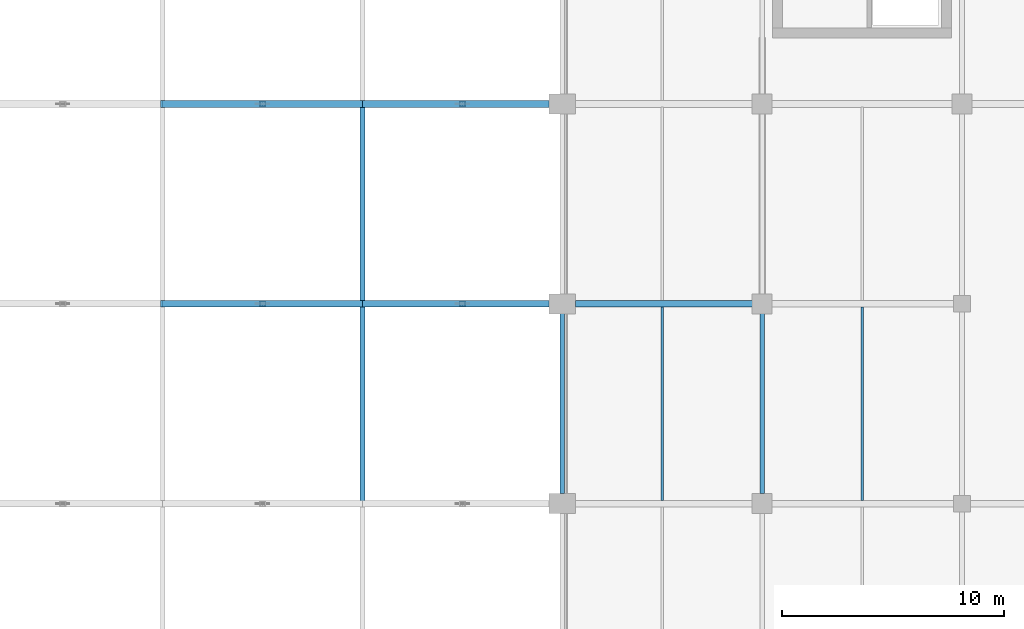
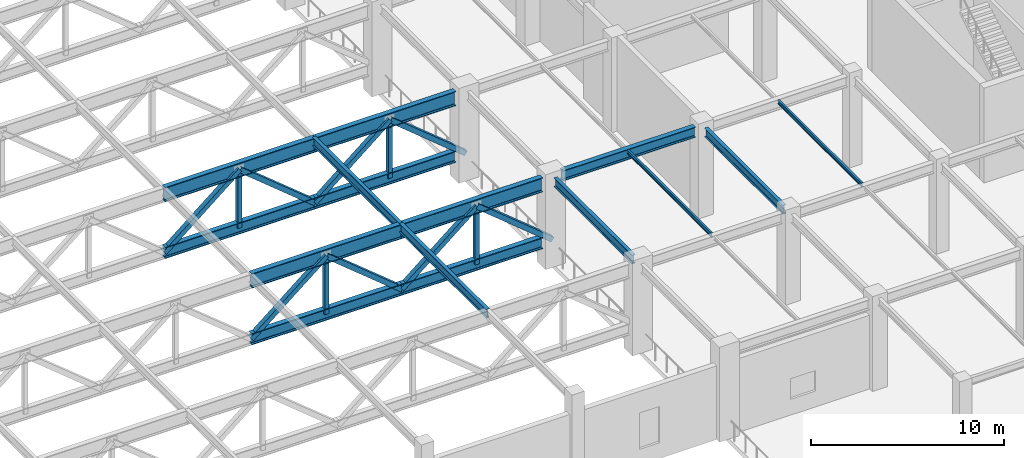
# One storey, part 14 of 223: 15 beams, 12 members.
"""IFC4 building model written with IfcOpenShell, lengths in metres."""

from ifc_helpers import new_model, si_unit, direction, frame, origin, origin_2d, place, context, subcontext, project, spatial, hollow_rectangle, i_section, extrude, material, material_profile, profile_set, type_object, element, save


model = new_model("IFC4")

# Units and contexts
model_context = context("Model", 3, precision=1e-05, world=origin(), true_north=direction((0.0, 1.0)))
body_context = subcontext(model_context, "Body", "Model", "MODEL_VIEW")
ifc_project = project(units=[si_unit("LENGTHUNIT", "METRE"), si_unit("AREAUNIT", "SQUARE_METRE"), si_unit("VOLUMEUNIT", "CUBIC_METRE"), si_unit("PLANEANGLEUNIT", "RADIAN"), si_unit("MASSUNIT", "GRAM", prefix="KILO")], contexts=[model_context])

# Site, building, storey
site_placement = place(None, origin())
site = spatial("IfcSite", under=ifc_project, at=site_placement, CompositionType="ELEMENT")
building_placement = place(site_placement, origin())
building = spatial("IfcBuilding", under=site, at=building_placement, Name="Dornveld Trade and Exhibition Forum", CompositionType="ELEMENT")
storey_placement = place(building_placement, frame((0.0, 0.0, 6.0)))
storey = spatial("IfcBuildingStorey", under=building, at=storey_placement, Name="L01", CompositionType="ELEMENT", Elevation=6.0)

# Beams
ifc_material_1 = material(Name="Steel S355J2", Category="steel")
ifc_material_profile_1 = material_profile(ifc_material_1, i_section(OverallWidth=0.300048828125, OverallDepth=0.64990234375, WebThickness=0.01611328125, FlangeThickness=0.031005859375, FilletRadius=0.027099609375, at=origin_2d()), Name="HEB 650")
ifc_profile_set_1 = profile_set([ifc_material_profile_1], Name="Steel S355J2")
beam_type_1 = type_object("IfcBeamType", Name="BM-GIR-HEB650", PredefinedType="USERDEFINED", material=ifc_profile_set_1)
beam_1_placement = place(storey_placement, frame((81.595947265625, 54.0, 5.31494140625), z_axis=(1.0, 0.0, 0.0), x_axis=(0.0, 1.0, 0.0)))
element("IfcBeam", 1, at=beam_1_placement, inside=storey, type_object=beam_type_1, Name="L01 X-girder 1166", ObjectType="GIRDER", PredefinedType="USERDEFINED", context=body_context, shape_type="SweptSolid", body=[
    extrude(i_section(OverallWidth=0.300048828125, OverallDepth=0.64990234375, WebThickness=0.01611328125, FlangeThickness=0.031005859375, FilletRadius=0.027099609375, at=origin_2d()), origin(), (0.0, 0.0, 1.0), 7.9580078125),
])
ifc_material_2 = material(Name="Steel S355J2", Category="steel")
ifc_material_profile_2 = material_profile(ifc_material_2, i_section(OverallWidth=0.1201171875, OverallDepth=0.239990234375, WebThickness=0.006103515625, FlangeThickness=0.009765625, FilletRadius=0.014892578125, at=origin_2d()), Name="IPE 240")
ifc_profile_set_2 = profile_set([ifc_material_profile_2], Name="Steel S355J2")
beam_type_2 = type_object("IfcBeamType", Name="BM-JOIST-240", PredefinedType="JOIST", material=ifc_profile_set_2)
for number, where, z_axis, x_axis, name in (
    (2, (85.5, 45.14697265625, 5.52001953125), (0.0, 1.0, 0.0), (-1.0, 0.0, 0.0), "L01 secondary joist 1251"),
    (3, (94.5, 45.14697265625, 5.52001953125), (0.0, 1.0, 0.0), (-1.0, 0.0, 0.0), "L01 secondary joist 1259"),
):
    element("IfcBeam", number, at=place(storey_placement, frame(where, z_axis=z_axis, x_axis=x_axis)), inside=storey, type_object=beam_type_2, Name=name, PredefinedType="JOIST", context=body_context, shape_type="SweptSolid", body=[
        extrude(i_section(OverallWidth=0.1201171875, OverallDepth=0.239990234375, WebThickness=0.006103515625, FlangeThickness=0.009765625, FilletRadius=0.014892578125, at=origin_2d()), origin(), (0.0, 0.0, 1.0), 8.7060546875),
    ])
ifc_material_3 = material(Name="Steel S355J2", Category="steel")
ifc_material_profile_3 = material_profile(ifc_material_3, i_section(OverallWidth=0.2099609375, OverallDepth=0.550048828125, WebThickness=0.010986328125, FlangeThickness=0.01708984375, FilletRadius=0.02392578125, at=origin_2d()), Name="IPE 550")
ifc_profile_set_3 = profile_set([ifc_material_profile_3], Name="Steel S355J2")
beam_type_3 = type_object("IfcBeamType", Name="BM-SEC-550", PredefinedType="BEAM", material=ifc_profile_set_3)
for number, where, z_axis, x_axis, name in (
    (4, (81.0, 45.446044921875, 5.364990234375), (0.0, 1.0, 0.0), (-1.0, 0.0, 0.0), "L01 Y-girder 1199"),
    (5, (90.0, 45.446044921875, 5.364990234375), (0.0, 1.0, 0.0), (-1.0, 0.0, 0.0), "L01 Y-girder 1207"),
):
    element("IfcBeam", number, at=place(storey_placement, frame(where, z_axis=z_axis, x_axis=x_axis)), inside=storey, type_object=beam_type_3, Name=name, PredefinedType="BEAM", context=body_context, shape_type="SweptSolid", body=[
        extrude(i_section(OverallWidth=0.2099609375, OverallDepth=0.550048828125, WebThickness=0.010986328125, FlangeThickness=0.01708984375, FilletRadius=0.02392578125, at=origin_2d()), origin(), (0.0, 0.0, 1.0), 8.10791015625),
    ])
for number, where, z_axis, x_axis, name in (
    (6, (72.0, 45.0, 5.364990234375), (0.0, 1.0, 0.0), (-1.0, 0.0, 0.0), "Hall 3 secondary deck beam 1419"),
    (7, (72.0, 54.0, 5.364990234375), (0.0, 1.0, 0.0), (-1.0, 0.0, 0.0), "Hall 3 secondary deck beam 1420"),
):
    element("IfcBeam", number, at=place(storey_placement, frame(where, z_axis=z_axis, x_axis=x_axis)), inside=storey, type_object=beam_type_3, Name=name, PredefinedType="BEAM", context=body_context, shape_type="SweptSolid", body=[
        extrude(i_section(OverallWidth=0.2099609375, OverallDepth=0.550048828125, WebThickness=0.010986328125, FlangeThickness=0.01708984375, FilletRadius=0.02392578125, at=origin_2d()), origin(), (0.0, 0.0, 1.0), 9.0),
    ])
ifc_material_4 = material(Name="Steel S355J2", Category="steel")
ifc_material_profile_4 = material_profile(ifc_material_4, i_section(OverallWidth=0.303955078125, OverallDepth=0.716064453125, WebThickness=0.02099609375, FlangeThickness=0.0400390625, FilletRadius=0.027099609375, at=origin_2d()), Name="HEM 700")
ifc_profile_set_4 = profile_set([ifc_material_profile_4], Name="Steel S355J2")
beam_type_4 = type_object("IfcBeamType", Name="BM-TG-BOT700", PredefinedType="USERDEFINED", material=ifc_profile_set_4)
beam_2_placement = place(storey_placement, frame((63.0, 54.0, 1.5), z_axis=(1.0, 0.0, 0.0), x_axis=(0.0, 1.0, 0.0)))
element("IfcBeam", 8, at=beam_2_placement, inside=storey, type_object=beam_type_4, Name="Hall 3 transfer truss 2 bottom chord 5", ObjectType="GIRDER", PredefinedType="USERDEFINED", context=body_context, shape_type="SweptSolid", body=[
    extrude(i_section(OverallWidth=0.303955078125, OverallDepth=0.716064453125, WebThickness=0.02099609375, FlangeThickness=0.0400390625, FilletRadius=0.027099609375, at=origin_2d()), origin(), (0.0, 0.0, 1.0), 9.0),
])
beam_3_placement = place(storey_placement, frame((72.0, 54.0, 1.5), z_axis=(1.0, 0.0, 0.0), x_axis=(0.0, 1.0, 0.0)))
element("IfcBeam", 9, at=beam_3_placement, inside=storey, type_object=beam_type_4, Name="Hall 3 transfer truss 2 bottom chord 6", ObjectType="GIRDER", PredefinedType="USERDEFINED", context=body_context, shape_type="SweptSolid", body=[
    extrude(i_section(OverallWidth=0.303955078125, OverallDepth=0.716064453125, WebThickness=0.02099609375, FlangeThickness=0.0400390625, FilletRadius=0.027099609375, at=origin_2d()), origin(), (0.0, 0.0, 1.0), 8.404052734375),
])
beam_4_placement = place(storey_placement, frame((63.0, 63.0, 1.5), z_axis=(1.0, 0.0, 0.0), x_axis=(0.0, 1.0, 0.0)))
element("IfcBeam", 10, at=beam_4_placement, inside=storey, type_object=beam_type_4, Name="Hall 3 transfer truss 3 bottom chord 5", ObjectType="GIRDER", PredefinedType="USERDEFINED", context=body_context, shape_type="SweptSolid", body=[
    extrude(i_section(OverallWidth=0.303955078125, OverallDepth=0.716064453125, WebThickness=0.02099609375, FlangeThickness=0.0400390625, FilletRadius=0.027099609375, at=origin_2d()), origin(), (0.0, 0.0, 1.0), 9.0),
])
beam_5_placement = place(storey_placement, frame((72.0, 63.0, 1.5), z_axis=(1.0, 0.0, 0.0), x_axis=(0.0, 1.0, 0.0)))
element("IfcBeam", 11, at=beam_5_placement, inside=storey, type_object=beam_type_4, Name="Hall 3 transfer truss 3 bottom chord 6", ObjectType="GIRDER", PredefinedType="USERDEFINED", context=body_context, shape_type="SweptSolid", body=[
    extrude(i_section(OverallWidth=0.303955078125, OverallDepth=0.716064453125, WebThickness=0.02099609375, FlangeThickness=0.0400390625, FilletRadius=0.027099609375, at=origin_2d()), origin(), (0.0, 0.0, 1.0), 8.404052734375),
])
ifc_material_5 = material(Name="Steel S355J2", Category="steel")
ifc_material_profile_5 = material_profile(ifc_material_5, i_section(OverallWidth=0.302001953125, OverallDepth=0.909912109375, WebThickness=0.02099609375, FlangeThickness=0.0400390625, FilletRadius=0.030029296875, at=origin_2d()), Name="HEM 900")
ifc_profile_set_5 = profile_set([ifc_material_profile_5], Name="Steel S355J2")
beam_type_5 = type_object("IfcBeamType", Name="BM-TG-TOP900", PredefinedType="USERDEFINED", material=ifc_profile_set_5)
beam_6_placement = place(storey_placement, frame((63.0, 54.0, 5.18505859375), z_axis=(1.0, 0.0, 0.0), x_axis=(0.0, 1.0, 0.0)))
element("IfcBeam", 12, at=beam_6_placement, inside=storey, type_object=beam_type_5, Name="Hall 3 transfer truss 2 top chord 5", ObjectType="GIRDER", PredefinedType="USERDEFINED", context=body_context, shape_type="SweptSolid", body=[
    extrude(i_section(OverallWidth=0.302001953125, OverallDepth=0.909912109375, WebThickness=0.02099609375, FlangeThickness=0.0400390625, FilletRadius=0.030029296875, at=origin_2d()), origin(), (0.0, 0.0, 1.0), 9.0),
])
beam_7_placement = place(storey_placement, frame((72.0, 54.0, 5.18505859375), z_axis=(1.0, 0.0, 0.0), x_axis=(0.0, 1.0, 0.0)))
element("IfcBeam", 13, at=beam_7_placement, inside=storey, type_object=beam_type_5, Name="Hall 3 transfer truss 2 top chord 6", ObjectType="GIRDER", PredefinedType="USERDEFINED", context=body_context, shape_type="SweptSolid", body=[
    extrude(i_section(OverallWidth=0.302001953125, OverallDepth=0.909912109375, WebThickness=0.02099609375, FlangeThickness=0.0400390625, FilletRadius=0.030029296875, at=origin_2d()), origin(), (0.0, 0.0, 1.0), 8.404052734375),
])
beam_8_placement = place(storey_placement, frame((63.0, 63.0, 5.18505859375), z_axis=(1.0, 0.0, 0.0), x_axis=(0.0, 1.0, 0.0)))
element("IfcBeam", 14, at=beam_8_placement, inside=storey, type_object=beam_type_5, Name="Hall 3 transfer truss 3 top chord 5", ObjectType="GIRDER", PredefinedType="USERDEFINED", context=body_context, shape_type="SweptSolid", body=[
    extrude(i_section(OverallWidth=0.302001953125, OverallDepth=0.909912109375, WebThickness=0.02099609375, FlangeThickness=0.0400390625, FilletRadius=0.030029296875, at=origin_2d()), origin(), (0.0, 0.0, 1.0), 9.0),
])
beam_9_placement = place(storey_placement, frame((72.0, 63.0, 5.18505859375), z_axis=(1.0, 0.0, 0.0), x_axis=(0.0, 1.0, 0.0)))
element("IfcBeam", 15, at=beam_9_placement, inside=storey, type_object=beam_type_5, Name="Hall 3 transfer truss 3 top chord 6", ObjectType="GIRDER", PredefinedType="USERDEFINED", context=body_context, shape_type="SweptSolid", body=[
    extrude(i_section(OverallWidth=0.302001953125, OverallDepth=0.909912109375, WebThickness=0.02099609375, FlangeThickness=0.0400390625, FilletRadius=0.030029296875, at=origin_2d()), origin(), (0.0, 0.0, 1.0), 8.404052734375),
])

# Members
ifc_material_6 = material(Name="Steel S355J2", Category="steel")
ifc_material_profile_6 = material_profile(ifc_material_6, hollow_rectangle(XDim=0.25, YDim=0.25, WallThickness=0.012451171875, at=origin_2d()), Name="SHS 250x250x12.5")
ifc_profile_set_6 = profile_set([ifc_material_profile_6], Name="Steel S355J2")
member_type_1 = type_object("IfcMemberType", Name="MEM-XFER-STR", PredefinedType="STRUT", material=ifc_profile_set_6)
for number, where, z_axis, x_axis, name in (
    (16, (67.5, 54.0, 1.5), (0.0, 0.0, 1.0), (1.0, 0.0, 0.0), "Transfer truss 2 strut 33"),
    (17, (76.5, 54.0, 1.5), (0.0, 0.0, 1.0), (1.0, 0.0, 0.0), "Transfer truss 2 strut 36"),
    (18, (67.5, 63.0, 1.5), (0.0, 0.0, 1.0), (1.0, 0.0, 0.0), "Transfer truss 3 strut 51"),
    (19, (76.5, 63.0, 1.5), (0.0, 0.0, 1.0), (1.0, 0.0, 0.0), "Transfer truss 3 strut 54"),
):
    element("IfcMember", number, at=place(storey_placement, frame(where, z_axis=z_axis, x_axis=x_axis)), inside=storey, type_object=member_type_1, Name=name, PredefinedType="STRUT", context=body_context, shape_type="SweptSolid", body=[
        extrude(hollow_rectangle(XDim=0.25, YDim=0.25, WallThickness=0.012451171875, at=origin_2d()), origin(), (0.0, 0.0, 1.0), 3.68505859375),
    ])
ifc_material_7 = material(Name="Steel S355J2", Category="steel")
ifc_material_profile_7 = material_profile(ifc_material_7, hollow_rectangle(XDim=0.300048828125, YDim=0.300048828125, WallThickness=0.01611328125, at=origin_2d()), Name="SHS 300x300x16")
ifc_profile_set_7 = profile_set([ifc_material_profile_7], Name="Steel S355J2")
member_type_2 = type_object("IfcMemberType", Name="MEM-XFER-WEB", PredefinedType="BRACE", material=ifc_profile_set_7)
for number, where, z_axis, x_axis, name in (
    (20, (63.0, 54.0, 1.5), (0.773684181611, 0.0, 0.633571453843), (0.0, 1.0, 0.0), "Transfer truss 2 web 31"),
    (21, (72.0, 54.0, 1.5), (-0.773684181611, 0.0, 0.633571453843), (0.0, -1.0, 0.0), "Transfer truss 2 web 32"),
    (22, (72.0, 54.0, 1.5), (0.773684181611, 0.0, 0.633571453843), (0.0, 1.0, 0.0), "Transfer truss 2 web 34"),
    (23, (81.0, 54.0, 1.5), (-0.773684181611, 0.0, 0.633571453843), (0.0, -1.0, 0.0), "Transfer truss 2 web 35"),
    (24, (63.0, 63.0, 1.5), (0.773684181611, 0.0, 0.633571453843), (0.0, 1.0, 0.0), "Transfer truss 3 web 49"),
    (25, (72.0, 63.0, 1.5), (-0.773684181611, 0.0, 0.633571453843), (0.0, -1.0, 0.0), "Transfer truss 3 web 50"),
    (26, (72.0, 63.0, 1.5), (0.773684181611, 0.0, 0.633571453843), (0.0, 1.0, 0.0), "Transfer truss 3 web 52"),
    (27, (81.0, 63.0, 1.5), (-0.773684181611, 0.0, 0.633571453843), (0.0, -1.0, 0.0), "Transfer truss 3 web 53"),
):
    element("IfcMember", number, at=place(storey_placement, frame(where, z_axis=z_axis, x_axis=x_axis)), inside=storey, type_object=member_type_2, Name=name, PredefinedType="BRACE", context=body_context, shape_type="SweptSolid", body=[
        extrude(hollow_rectangle(XDim=0.300048828125, YDim=0.300048828125, WallThickness=0.01611328125, at=origin_2d()), origin(), (0.0, 0.0, 1.0), 5.81640625),
    ])

save(model, "model.ifc")
